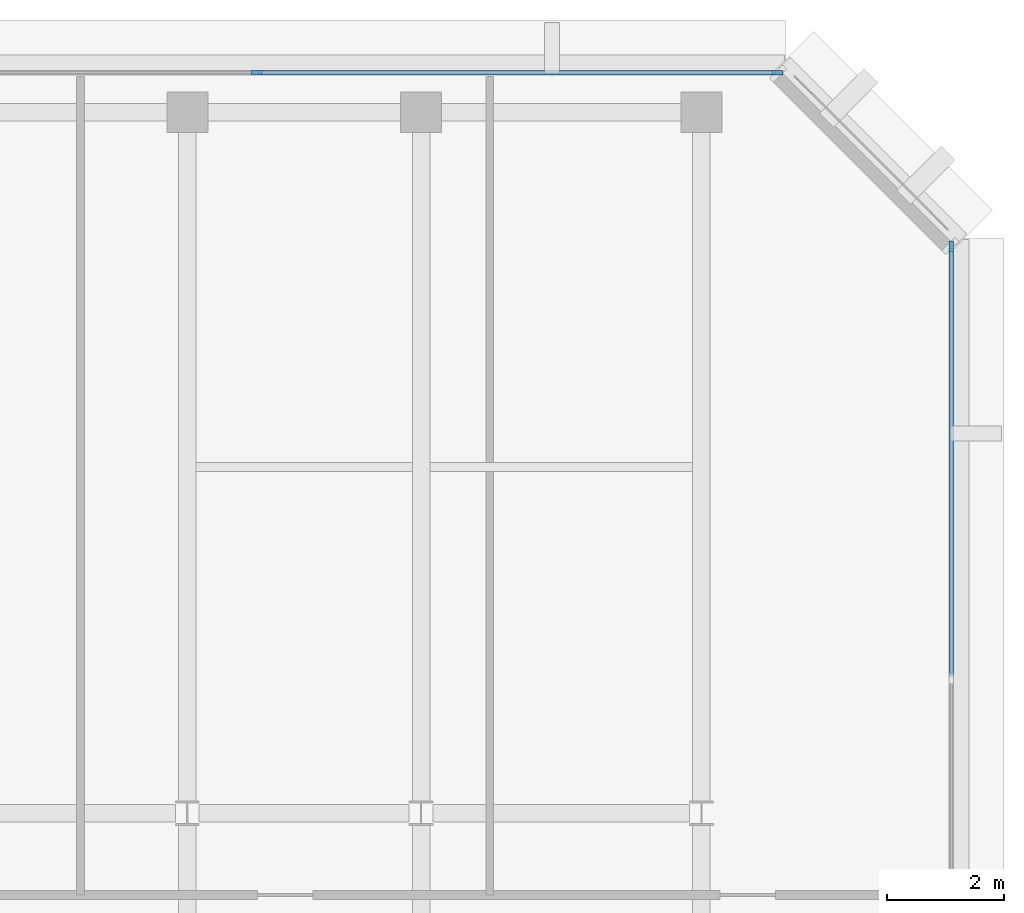
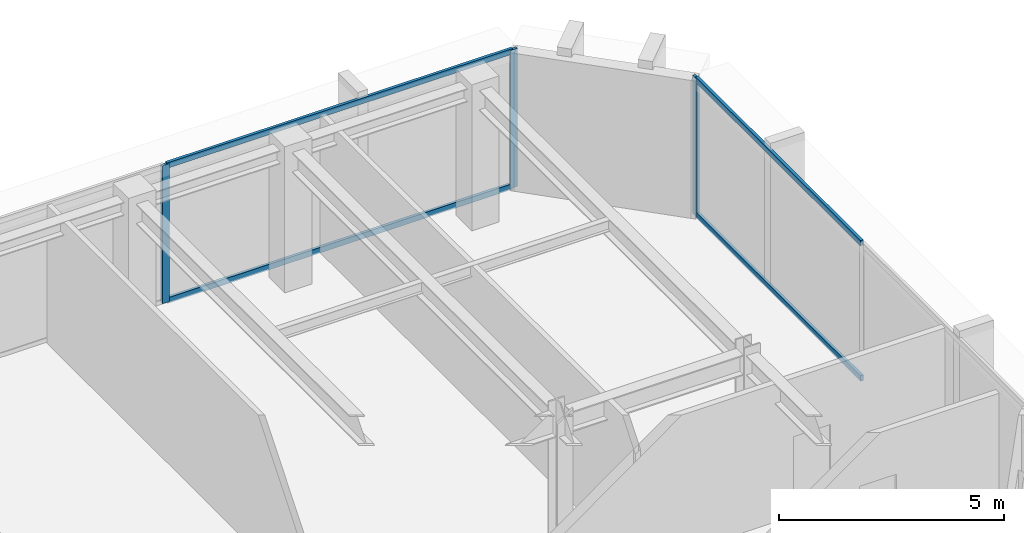
# One storey, part 5 of 12: 7 members, 2 elements without a shape of their own.
"""IFC4 building model written with IfcOpenShell, lengths in metres."""

from ifc_helpers import new_model, si_unit, direction, frame, origin, origin_2d, place, context, subcontext, project, spatial, rectangle, extrude, material, layer, layer_set, material_profile, profile_set, type_object, element, aggregate, save


model = new_model("IFC4")

# Units and contexts
model_context = context("Model", 3, precision=1e-05, world=origin(), true_north=direction((0.0, 1.0)))
body_context = subcontext(model_context, "Body", "Model", "MODEL_VIEW")
ifc_project = project(units=[si_unit("LENGTHUNIT", "METRE"), si_unit("AREAUNIT", "SQUARE_METRE"), si_unit("VOLUMEUNIT", "CUBIC_METRE"), si_unit("PLANEANGLEUNIT", "RADIAN"), si_unit("MASSUNIT", "GRAM", prefix="KILO")], contexts=[model_context])

# Site, building, storey
site_placement = place(None, origin())
site = spatial("IfcSite", under=ifc_project, at=site_placement, CompositionType="ELEMENT")
building_placement = place(site_placement, origin())
building = spatial("IfcBuilding", under=site, at=building_placement, Name="Kefirva Bronze Tower", CompositionType="ELEMENT")
storey_placement = place(building_placement, frame((0.0, 0.0, 296.010009765625)))
storey = spatial("IfcBuildingStorey", under=building, at=storey_placement, Name="L72", CompositionType="ELEMENT", Elevation=296.010009765625)

# Curtain wall, member
ifc_material = material(Name="Bronze anodised aluminium", Category="aluminium")
ifc_layer = layer(ifc_material, 0.179931640625, Name="Bronze anodised aluminium")
ifc_layer_set = layer_set([ifc_layer], Name="Bronze anodised aluminium")
curtain_wall_type = type_object("IfcCurtainWallType", Name="Unitised Bronze Ribbon Curtain Wall Zone 4", PredefinedType="USERDEFINED", material=ifc_layer_set)
curtain_wall_1_placement = place(storey_placement, origin())
curtain_wall_1 = element("IfcCurtainWall", 1, at=curtain_wall_1_placement, inside=storey, type_object=curtain_wall_type, Name="L72 Curtain Wall 2", ObjectType="UNITISED CURTAIN WALL", PredefinedType="USERDEFINED")
ifc_material_profile_1 = material_profile(ifc_material, rectangle(XDim=0.074951171875, YDim=0.179931640625, at=origin_2d()), Name="ALU 75x180")
ifc_profile_set_1 = profile_set([ifc_material_profile_1], Name="Bronze anodised aluminium")
member_type_1 = type_object("IfcMemberType", Name="Bronze Mullion 75x180", PredefinedType="MULLION", material=ifc_profile_set_1)
member_1_placement = place(storey_placement, frame((44.280029296875, 42.907470703125, 0.0), z_axis=(0.0, 0.0, 1.0), x_axis=(-1.0, 0.0, 0.0)))
member_1 = element("IfcMember", 2, at=member_1_placement, type_object=member_type_1, Name="CW-04 mullion 3", PredefinedType="MULLION", context=body_context, shape_type="SweptSolid", body=[
    extrude(rectangle(XDim=0.074951171875, YDim=0.179931640625, at=origin_2d()), origin(), (0.0, 0.0, 1.0), 3.739990234375),
])

# Curtain wall, members
curtain_wall_2_placement = place(storey_placement, origin())
curtain_wall_2 = element("IfcCurtainWall", 3, at=curtain_wall_2_placement, inside=storey, type_object=curtain_wall_type, Name="L72 Curtain Wall 3", ObjectType="UNITISED CURTAIN WALL", PredefinedType="USERDEFINED")
member_2_placement = place(storey_placement, frame((41.3076171875, 45.8798828125, 0.0), z_axis=(0.0, 0.0, 1.0), x_axis=(0.0, -1.0, 0.0)))
member_2 = element("IfcMember", 4, at=member_2_placement, type_object=member_type_1, Name="CW-04 mullion 1", PredefinedType="MULLION", context=body_context, shape_type="SweptSolid", body=[
    extrude(rectangle(XDim=0.074951171875, YDim=0.179931640625, at=origin_2d()), origin(), (0.0, 0.0, 1.0), 3.739990234375),
])
member_3_placement = place(storey_placement, frame((32.375, 45.8798828125, 0.0), z_axis=(0.0, 0.0, 1.0), x_axis=(0.0, -1.0, 0.0)))
member_3 = element("IfcMember", 5, at=member_3_placement, type_object=member_type_1, Name="CW-04 mullion 2", PredefinedType="MULLION", context=body_context, shape_type="SweptSolid", body=[
    extrude(rectangle(XDim=0.074951171875, YDim=0.179931640625, at=origin_2d()), origin(), (0.0, 0.0, 1.0), 3.739990234375),
])

# Member
ifc_material_profile_2 = material_profile(ifc_material, rectangle(XDim=0.074951171875, YDim=0.14990234375, at=origin_2d()), Name="ALU 75x150")
ifc_profile_set_2 = profile_set([ifc_material_profile_2], Name="Bronze anodised aluminium")
member_type_2 = type_object("IfcMemberType", Name="Bronze Transom 75x150", PredefinedType="USERDEFINED", material=ifc_profile_set_2)
member_4_placement = place(storey_placement, frame((44.280029296875, 35.53759765625, 0.03759765625), z_axis=(0.0, 1.0, 0.0), x_axis=(-1.0, 0.0, 0.0)))
member_4 = element("IfcMember", 6, at=member_4_placement, type_object=member_type_2, Name="CW-04 transom 2.1", ObjectType="TRANSOM", PredefinedType="USERDEFINED", context=body_context, shape_type="SweptSolid", body=[
    extrude(rectangle(XDim=0.074951171875, YDim=0.14990234375, at=origin_2d()), origin(), (0.0, 0.0, 1.0), 7.33251953125),
])

member_5_placement = place(storey_placement, frame((44.280029296875, 35.53759765625, 3.702392578125), z_axis=(0.0, 1.0, 0.0), x_axis=(-1.0, 0.0, 0.0)))
member_5 = element("IfcMember", 7, at=member_5_placement, type_object=member_type_2, Name="CW-04 transom 2.2", ObjectType="TRANSOM", PredefinedType="USERDEFINED", context=body_context, shape_type="SweptSolid", body=[
    extrude(rectangle(XDim=0.074951171875, YDim=0.14990234375, at=origin_2d()), origin(), (0.0, 0.0, 1.0), 7.33251953125),
])

aggregate(curtain_wall_1, [member_1, member_4, member_5])

member_6_placement = place(storey_placement, frame((41.27001953125, 45.8798828125, 0.03759765625), z_axis=(-1.0, 0.0, 0.0), x_axis=(0.0, -1.0, 0.0)))
member_6 = element("IfcMember", 8, at=member_6_placement, type_object=member_type_2, Name="CW-04 transom 1.1", ObjectType="TRANSOM", PredefinedType="USERDEFINED", context=body_context, shape_type="SweptSolid", body=[
    extrude(rectangle(XDim=0.074951171875, YDim=0.14990234375, at=origin_2d()), origin(), (0.0, 0.0, 1.0), 8.857421875),
])

member_7_placement = place(storey_placement, frame((41.27001953125, 45.8798828125, 3.702392578125), z_axis=(-1.0, 0.0, 0.0), x_axis=(0.0, -1.0, 0.0)))
member_7 = element("IfcMember", 9, at=member_7_placement, type_object=member_type_2, Name="CW-04 transom 1.2", ObjectType="TRANSOM", PredefinedType="USERDEFINED", context=body_context, shape_type="SweptSolid", body=[
    extrude(rectangle(XDim=0.074951171875, YDim=0.14990234375, at=origin_2d()), origin(), (0.0, 0.0, 1.0), 8.857421875),
])

aggregate(curtain_wall_2, [member_2, member_3, member_6, member_7])

save(model, "model.ifc")
